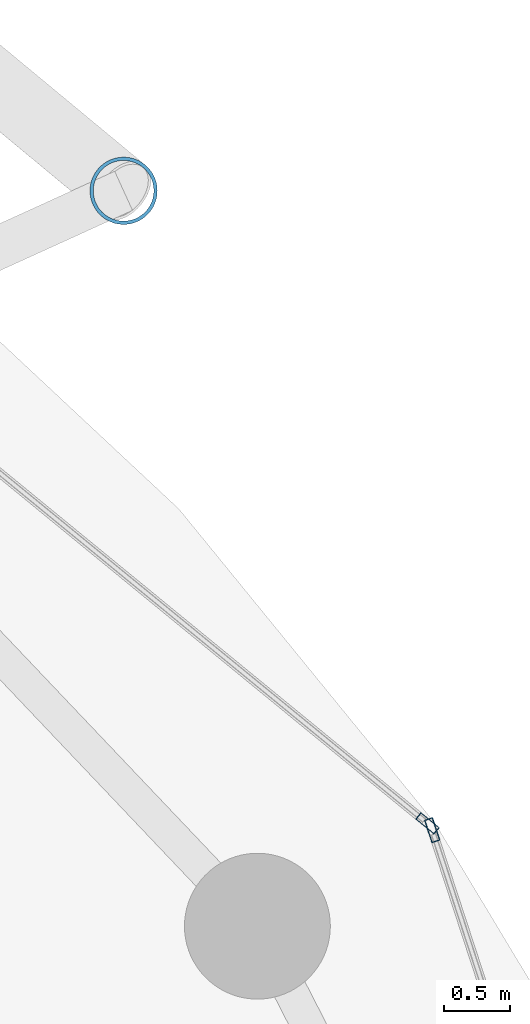
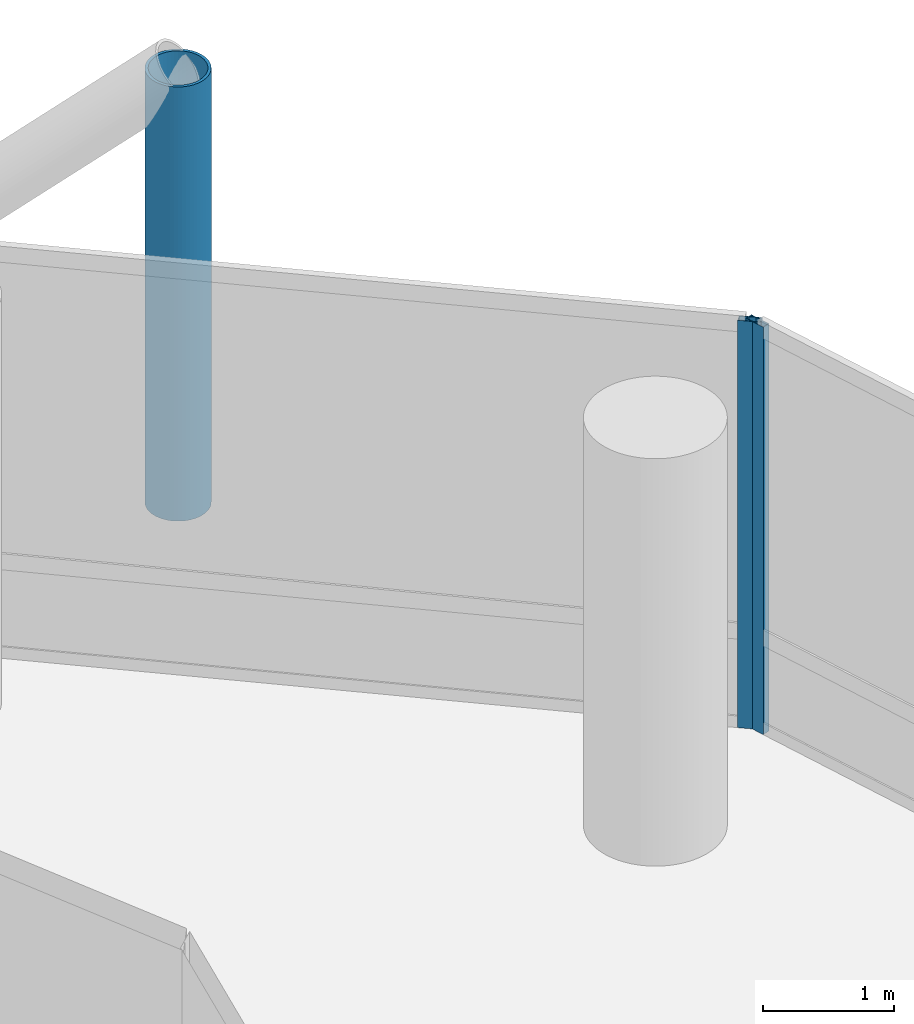
# One storey, part 19 of 24: 3 members, 2 elements without a shape of their own.
"""IFC4 building model written with IfcOpenShell, lengths in metres."""

import ifcopenshell
import ifcopenshell.guid

model = None  # the IFC model being written
_history = None  # IfcOwnerHistory: only IFC2X3 demands one
_inside = {}  # id of a spatial element -> (the spatial element, [elements in it])
_under = {}  # id of a project, library or spatial element -> (it, [spatial elements below it])
_declared = {}  # id of a project -> (the project, [libraries it declares])
_typed = {}  # id of a type object -> (the type object, [elements of that type])
_made_of = {}  # id of a material, layer set ... -> (it, [elements and type objects made of it])


def new_model(schema):
    """Start an empty IFC model of exactly this schema.

    Asked for "IFC4X3", IfcOpenShell would pick the latest addendum, in which some entities
    have other attributes; the version numbers below select the first issue.
    IFC2X3 requires an IfcOwnerHistory on every rooted entity: one is made here for all.
    """
    global model, _history
    if schema == "IFC4X3":
        model = ifcopenshell.file(schema_version=(4, 3, 0, 0))
    else:
        model = ifcopenshell.file(schema=schema)
    _inside.clear()
    _under.clear()
    _declared.clear()
    _typed.clear()
    _made_of.clear()
    _history = None
    if model.schema == "IFC2X3":
        org = make("IfcOrganization", Name="unknown")
        user = make(
            "IfcPersonAndOrganization",
            ThePerson=make("IfcPerson", FamilyName="unknown"),
            TheOrganization=org,
        )
        app = make(
            "IfcApplication",
            ApplicationDeveloper=org,
            Version="unknown",
            ApplicationFullName="unknown",
            ApplicationIdentifier="unknown",
        )
        _history = make(
            "IfcOwnerHistory",
            OwningUser=user,
            OwningApplication=app,
            ChangeAction="ADDED",
            CreationDate=0,
        )
    return model


def make(cls, **values):
    """One entity of the class cls with the attributes given. An attribute that is None is left unset."""
    return model.create_entity(
        cls, **{name: value for name, value in values.items() if value is not None}
    )


def rooted(cls, **values):
    """An entity with a GlobalId (a new one), such as an element, a storey or a relation."""
    return make(cls, GlobalId=ifcopenshell.guid.new(), OwnerHistory=_history, **values)


def si_unit(unit_type, name, prefix=None):
    """IfcSIUnit, for example si_unit("LENGTHUNIT", "METRE", prefix="MILLI")."""
    return make("IfcSIUnit", UnitType=unit_type, Prefix=prefix, Name=name)


def assignment(units):
    """IfcUnitAssignment: the units of a project."""
    return None if units is None else make("IfcUnitAssignment", Units=units)


def point(xyz):
    """IfcCartesianPoint."""
    return None if xyz is None else make("IfcCartesianPoint", Coordinates=xyz)


def direction(xyz):
    """IfcDirection."""
    return None if xyz is None else make("IfcDirection", DirectionRatios=xyz)


def frame(location, z_axis=None, x_axis=None):
    """IfcAxis2Placement3D, a coordinate frame: its origin and axes. An axis left out is left unset."""
    return make(
        "IfcAxis2Placement3D",
        Location=point(location),
        Axis=direction(z_axis),
        RefDirection=direction(x_axis),
    )


def frame_2d(location, x_axis=None):
    """IfcAxis2Placement2D, a coordinate frame in the plane: its origin and x axis."""
    return make(
        "IfcAxis2Placement2D", Location=point(location), RefDirection=direction(x_axis)
    )


def origin():
    """The frame at (0, 0, 0) with its axes left unset."""
    return frame((0.0, 0.0, 0.0))


def origin_2d():
    """The frame at (0, 0) in the plane with its x axis left unset."""
    return frame_2d((0.0, 0.0))


def place(relative_to, where):
    """IfcLocalPlacement: puts the frame where relative to a parent placement (None: the world)."""
    return make(
        "IfcLocalPlacement", PlacementRelTo=relative_to, RelativePlacement=where
    )


def context(
    kind, dimensions, precision=None, world=None, true_north=None, identifier=None
):
    """IfcGeometricRepresentationContext, for example the 3D "Model" context."""
    return make(
        "IfcGeometricRepresentationContext",
        ContextIdentifier=identifier,
        ContextType=kind,
        CoordinateSpaceDimension=dimensions,
        Precision=precision,
        WorldCoordinateSystem=world,
        TrueNorth=true_north,
    )


def subcontext(parent, identifier, kind, view, scale=None):
    """IfcGeometricRepresentationSubContext, for example "Body" below "Model"."""
    return make(
        "IfcGeometricRepresentationSubContext",
        ContextIdentifier=identifier,
        ContextType=kind,
        ParentContext=parent,
        TargetScale=scale,
        TargetView=view,
    )


def project(units=None, contexts=None):
    """IfcProject with its units and contexts."""
    return rooted(
        "IfcProject",
        Name="project",
        RepresentationContexts=contexts,
        UnitsInContext=assignment(units),
    )


def spatial(cls, under=None, at=None, **own):
    """A site, building, storey or space (cls), placed at a placement, below another one or the project."""
    s = rooted(cls, ObjectPlacement=at, **own)
    if under is not None:
        _under.setdefault(under.id(), (under, []))[1].append(s)
    return s


def profile(cls, at=None, kind="AREA", **sizes):
    """A parametric profile (cls). Its sizes go by their IFC names, for example OverallWidth=200.0."""
    return make(cls, ProfileType=kind, Position=at, **sizes)


def hollow_rectangle(**sizes):
    """IfcRectangleHollowProfileDef."""
    return profile("IfcRectangleHollowProfileDef", **sizes)


def hollow_circle(**sizes):
    """IfcCircleHollowProfileDef."""
    return profile("IfcCircleHollowProfileDef", **sizes)


def extrude(swept, where, along, depth):
    """IfcExtrudedAreaSolid: the profile swept, set in the frame where, extruded along a direction by depth."""
    return make(
        "IfcExtrudedAreaSolid",
        SweptArea=swept,
        Position=where,
        ExtrudedDirection=direction(along),
        Depth=depth,
    )


def shape(context_of_items, identifier, shape_type, items):
    """IfcShapeRepresentation: the items that make up one representation, for example the "Body"."""
    return make(
        "IfcShapeRepresentation",
        ContextOfItems=context_of_items,
        RepresentationIdentifier=identifier,
        RepresentationType=shape_type,
        Items=items,
    )


def material(Name=None, Category=None):
    """IfcMaterial."""
    return make("IfcMaterial", Name=Name, Category=Category)


def layer(
    of_material, thickness, ventilated=None, Name=None, Category=None, Priority=None
):
    """IfcMaterialLayer: one layer of a wall or slab, of a material (None: an air gap)."""
    return make(
        "IfcMaterialLayer",
        Material=of_material,
        LayerThickness=thickness,
        IsVentilated=ventilated,
        Name=Name,
        Category=Category,
        Priority=Priority,
    )


def layer_set(layers, Name=None):
    """IfcMaterialLayerSet."""
    return make("IfcMaterialLayerSet", MaterialLayers=layers, LayerSetName=Name)


def material_profile(
    of_material, cross_section, Name=None, Category=None, Priority=None
):
    """IfcMaterialProfile: a cross section and its material."""
    return make(
        "IfcMaterialProfile",
        Name=Name,
        Material=of_material,
        Profile=cross_section,
        Priority=Priority,
        Category=Category,
    )


def profile_set(profiles, Name=None, composite=None):
    """IfcMaterialProfileSet."""
    return make(
        "IfcMaterialProfileSet",
        Name=Name,
        MaterialProfiles=profiles,
        CompositeProfile=composite,
    )


def made_of(thing, what):
    """Note that an element or type object is made of a material, layer set ...; save() writes the relation."""
    if what is not None:
        _made_of.setdefault(what.id(), (what, []))[1].append(thing)
    return thing


def type_object(cls, material=None, **own):
    """A type object (cls), such as IfcWallType, which elements share."""
    return made_of(rooted(cls, **own), material)


def element(
    cls,
    number,
    at=None,
    inside=None,
    cuts=None,
    type_object=None,
    material=None,
    context=None,
    identifier="Body",
    shape_type=None,
    held_by="IfcProductDefinitionShape",
    body=None,
    shapes=None,
    **own,
):
    """One element of the class cls, such as IfcWall. Its Tag is "e" and its number.

    at: its placement. inside: the storey or other place that contains it. cuts: it is an
    opening in that element (IfcRelVoidsElement). A single representation is given by context,
    identifier, shape_type and body (its items); several are given by shapes. held_by: the class
    of the entity that holds the representations. save() writes the other relations.
    """
    e = rooted(cls, Tag="e%d" % number, ObjectPlacement=at, **own)
    if body is not None:
        shapes = [shape(context, identifier, shape_type, body)]
    if shapes is not None:
        e.Representation = make(held_by, Representations=shapes)
    if inside is not None:
        _inside.setdefault(inside.id(), (inside, []))[1].append(e)
    if cuts is not None:
        rooted(
            "IfcRelVoidsElement", RelatingBuildingElement=cuts, RelatedOpeningElement=e
        )
    if type_object is not None:
        _typed.setdefault(type_object.id(), (type_object, []))[1].append(e)
    return made_of(e, material)


def aggregate(whole, parts):
    """IfcRelAggregates: a whole, such as a stair, and the parts it consists of."""
    return rooted("IfcRelAggregates", RelatingObject=whole, RelatedObjects=parts)


def save(model, path):
    """Write the relations noted so far, then the file.

    IfcRelAggregates (storeys below a building ...), IfcRelContainedInSpatialStructure (elements
    in a storey), IfcRelDefinesByType, IfcRelAssociatesMaterial and IfcRelDeclares: one each for
    every whole, place, type object, material and project.
    """
    for whole, parts in _under.values():
        aggregate(whole, parts)
    for where, things in _inside.values():
        rooted(
            "IfcRelContainedInSpatialStructure",
            RelatedElements=things,
            RelatingStructure=where,
        )
    for kind, things in _typed.values():
        rooted("IfcRelDefinesByType", RelatedObjects=things, RelatingType=kind)
    for what, things in _made_of.values():
        rooted("IfcRelAssociatesMaterial", RelatedObjects=things, RelatingMaterial=what)
    for by, libraries in _declared.values():
        rooted("IfcRelDeclares", RelatingContext=by, RelatedDefinitions=libraries)
    model.write(path)


model = new_model("IFC4")

# Units and contexts
model_context = context("Model", 3, precision=1e-05, world=origin(), true_north=direction((0.0, 1.0)))
body_context = subcontext(model_context, "Body", "Model", "MODEL_VIEW")
ifc_project = project(units=[si_unit("LENGTHUNIT", "METRE"), si_unit("AREAUNIT", "SQUARE_METRE"), si_unit("VOLUMEUNIT", "CUBIC_METRE"), si_unit("PLANEANGLEUNIT", "RADIAN"), si_unit("MASSUNIT", "GRAM", prefix="KILO")], contexts=[model_context])

# Site, building, storey
site_placement = place(None, origin())
site = spatial("IfcSite", under=ifc_project, at=site_placement, CompositionType="ELEMENT")
building_placement = place(site_placement, origin())
building = spatial("IfcBuilding", under=site, at=building_placement, Name="Nuhasar Tower", CompositionType="ELEMENT")
storey_placement = place(building_placement, frame((0.0, 0.0, 77.699951171875)))
storey = spatial("IfcBuildingStorey", under=building, at=storey_placement, Name="L18", CompositionType="ELEMENT", Elevation=77.699951171875)

# Curtain wall, member
ifc_material_1 = material(Name="Aluminium 6063-T6", Category="aluminium")
ifc_layer = layer(ifc_material_1, 0.199951171875)
ifc_layer_set = layer_set([ifc_layer], Name="Aluminium 6063-T6")
curtain_wall_type = type_object("IfcCurtainWallType", Name="CW-Z1-OFF", PredefinedType="NOTDEFINED", material=ifc_layer_set)
curtain_wall_1_placement = place(storey_placement, origin())
curtain_wall_1 = element("IfcCurtainWall", 1, at=curtain_wall_1_placement, inside=storey, type_object=curtain_wall_type, Name="L18 Unitised Curtain Wall 01", PredefinedType="NOTDEFINED")
ifc_material_profile_1 = material_profile(ifc_material_1, hollow_rectangle(XDim=0.06494140625, YDim=0.179931640625, WallThickness=0.0048828125, at=origin_2d()), Name="CWM-2")
ifc_profile_set_1 = profile_set([ifc_material_profile_1], Name="Aluminium 6063-T6")
member_type_1 = type_object("IfcMemberType", Name="CW-MUL-S2", PredefinedType="MULLION", material=ifc_profile_set_1)
member_1_placement = place(storey_placement, frame((62.01220703125, 37.649169921875, 0.0), z_axis=(0.0, 0.0, 1.0), x_axis=(-0.950467534571, -0.310823849997, 0.0)))
member_1 = element("IfcMember", 2, at=member_1_placement, type_object=member_type_1, Name="CW-Z1 mullion 2", PredefinedType="MULLION", context=body_context, shape_type="SweptSolid", body=[
    extrude(hollow_rectangle(XDim=0.06494140625, YDim=0.179931640625, WallThickness=0.0048828125, at=origin_2d()), origin(), (0.0, 0.0, 1.0), 3.800048828125),
])
aggregate(curtain_wall_1, [member_1])

curtain_wall_2_placement = place(storey_placement, origin())
curtain_wall_2 = element("IfcCurtainWall", 3, at=curtain_wall_2_placement, inside=storey, type_object=curtain_wall_type, Name="L18 Unitised Curtain Wall 02", PredefinedType="NOTDEFINED")
member_2_placement = place(storey_placement, frame((61.976806640625, 37.70068359375, 0.0), z_axis=(0.0, 0.0, 1.0), x_axis=(-0.633744593376, -0.773542364946, 0.0)))
member_2 = element("IfcMember", 4, at=member_2_placement, type_object=member_type_1, Name="CW-Z1 mullion 1", PredefinedType="MULLION", context=body_context, shape_type="SweptSolid", body=[
    extrude(hollow_rectangle(XDim=0.06494140625, YDim=0.179931640625, WallThickness=0.0048828125, at=origin_2d()), origin(), (0.0, 0.0, 1.0), 3.800048828125),
])
aggregate(curtain_wall_2, [member_2])

# Member
ifc_material_2 = material(Name="Steel S460", Category="steel")
ifc_material_profile_2 = material_profile(ifc_material_2, hollow_circle(Radius=0.25390625, WallThickness=0.025390625, at=origin_2d()), Name="HSS508X25.4")
ifc_profile_set_2 = profile_set([ifc_material_profile_2], Name="Steel S460")
member_type_2 = type_object("IfcMemberType", Name="EXO-BRONZE-508", PredefinedType="BRACE", material=ifc_profile_set_2)
member_3_placement = place(storey_placement, frame((59.68505859375, 42.470947265625, 0.0), z_axis=(0.0, 0.0, 1.0), x_axis=(1.0, 0.0, 0.0)))
element("IfcMember", 5, at=member_3_placement, inside=storey, type_object=member_type_2, Name="L18 Exoskeleton Chord Column EC-02A", PredefinedType="BRACE", context=body_context, shape_type="SweptSolid", body=[
    extrude(hollow_circle(Radius=0.25390625, WallThickness=0.025390625, at=origin_2d()), origin(), (0.0, 0.0, 1.0), 4.050048828125),
])

save(model, "model.ifc")
